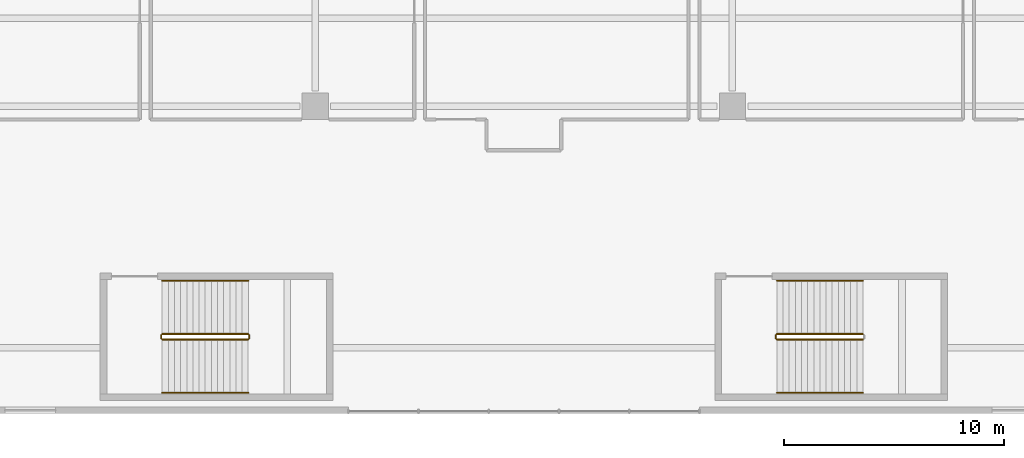
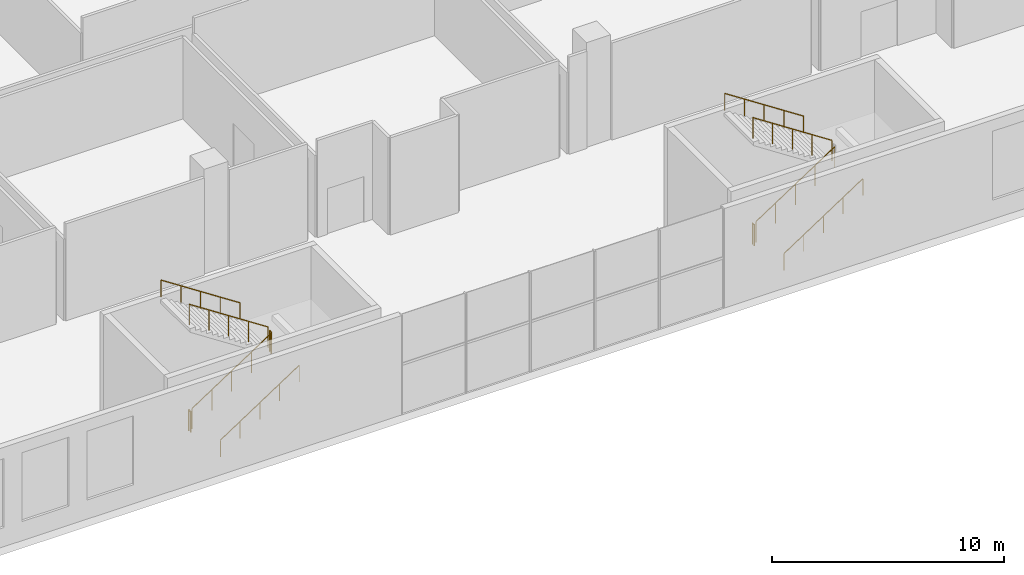
# One storey, part 19 of 26: 11 railings.
"""IFC4 building model written with IfcOpenShell, lengths in metres."""

from ifc_helpers import new_model, si_unit, direction, frame, origin, origin_2d, place, context, subcontext, project, spatial, circle, extrude, material, type_object, element, save


model = new_model("IFC4")

# Units and contexts
model_context = context("Model", 3, precision=1e-05, world=origin(), true_north=direction((0.0, 1.0)))
body_context = subcontext(model_context, "Body", "Model", "MODEL_VIEW")
ifc_project = project(units=[si_unit("LENGTHUNIT", "METRE"), si_unit("AREAUNIT", "SQUARE_METRE"), si_unit("VOLUMEUNIT", "CUBIC_METRE"), si_unit("PLANEANGLEUNIT", "RADIAN"), si_unit("MASSUNIT", "GRAM", prefix="KILO")], contexts=[model_context])

# Site, building, storey
site_placement = place(None, origin())
site = spatial("IfcSite", under=ifc_project, at=site_placement, CompositionType="ELEMENT")
building_placement = place(site_placement, origin())
building = spatial("IfcBuilding", under=site, at=building_placement, Name="Tel Ilan Convention Tower", CompositionType="ELEMENT")
storey_placement = place(building_placement, frame((0.0, 0.0, 32.0)))
storey = spatial("IfcBuildingStorey", under=building, at=storey_placement, Name="L04", CompositionType="ELEMENT", Elevation=32.0)

# Railings
ifc_material_1 = material(Name="Stainless Steel Grade 316", Category="steel")
railing_type_1 = type_object("IfcRailingType", Name="Stainless Steel Stair Guard 1100 mm", PredefinedType="GUARDRAIL", material=ifc_material_1)
railing_1_placement = place(storey_placement, frame((-16.47509765625, -78.625, 0.183349609375)))
element("IfcRailing", 1, at=railing_1_placement, inside=storey, type_object=railing_type_1, Name="L04 P2 stair guard 1", PredefinedType="GUARDRAIL", context=body_context, shape_type="SweptSolid", body=[
    extrude(circle(Radius=0.02392578125, at=origin_2d()), frame((0.0, 0.0, 1.076171875), z_axis=(0.836630751959, 0.0, 0.54776727255), x_axis=(0.0, 1.0, 0.0)), (0.0, 0.0, 1.0), 4.685546875),
    extrude(circle(Radius=0.02099609375, at=origin_2d()), origin(), (0.0, 0.0, 1.0), 1.052001953125),
    extrude(circle(Radius=0.02099609375, at=origin_2d()), frame((0.97998046875, 0.0, 0.6416015625)), (0.0, 0.0, 1.0), 1.052001953125),
    extrude(circle(Radius=0.02099609375, at=origin_2d()), frame((1.9599609375, 0.0, 1.283203125)), (0.0, 0.0, 1.0), 1.052001953125),
    extrude(circle(Radius=0.02099609375, at=origin_2d()), frame((2.940185546875, 0.0, 1.925048828125)), (0.0, 0.0, 1.0), 1.052001953125),
    extrude(circle(Radius=0.02099609375, at=origin_2d()), frame((3.920166015625, 0.0, 2.566650390625)), (0.0, 0.0, 1.0), 1.052001953125),
])
railing_2_placement = place(storey_placement, frame((-12.5048828125, -78.574951171875, 2.75)))
element("IfcRailing", 2, at=railing_2_placement, inside=storey, type_object=railing_type_1, Name="L04 P2 stair guard 2", PredefinedType="GUARDRAIL", context=body_context, shape_type="SweptSolid", body=[
    extrude(circle(Radius=0.02392578125, at=origin_2d()), frame((0.0, 0.0, 1.076171875), z_axis=(0.0, 1.0, 0.0), x_axis=(-1.0, 0.0, 0.0)), (0.0, 0.0, 1.0), 0.14990234375),
    extrude(circle(Radius=0.02099609375, at=origin_2d()), origin(), (0.0, 0.0, 1.0), 1.052001953125),
    extrude(circle(Radius=0.02099609375, at=origin_2d()), frame((0.0, 0.14990234375, 0.0)), (0.0, 0.0, 1.0), 1.052001953125),
])
railing_3_placement = place(storey_placement, frame((-12.554931640625, -78.375, 2.933349609375)))
element("IfcRailing", 3, at=railing_3_placement, inside=storey, type_object=railing_type_1, Name="L04 P2 stair guard 3", PredefinedType="GUARDRAIL", context=body_context, shape_type="SweptSolid", body=[
    extrude(circle(Radius=0.02392578125, at=origin_2d()), frame((0.0, 0.0, 1.076171875), z_axis=(-0.836630751959, 0.0, 0.54776727255), x_axis=(0.0, -1.0, 0.0)), (0.0, 0.0, 1.0), 4.685546875),
    extrude(circle(Radius=0.02099609375, at=origin_2d()), origin(), (0.0, 0.0, 1.0), 1.052001953125),
    extrude(circle(Radius=0.02099609375, at=origin_2d()), frame((-0.97998046875, 0.0, 0.6416015625)), (0.0, 0.0, 1.0), 1.052001953125),
    extrude(circle(Radius=0.02099609375, at=origin_2d()), frame((-1.9599609375, 0.0, 1.283203125)), (0.0, 0.0, 1.0), 1.052001953125),
    extrude(circle(Radius=0.02099609375, at=origin_2d()), frame((-2.940185546875, 0.0, 1.925048828125)), (0.0, 0.0, 1.0), 1.052001953125),
    extrude(circle(Radius=0.02099609375, at=origin_2d()), frame((-3.920166015625, 0.0, 2.566650390625)), (0.0, 0.0, 1.0), 1.052001953125),
])
railing_4_placement = place(storey_placement, frame((-16.52490234375, -78.574951171875, 0.0)))
element("IfcRailing", 4, at=railing_4_placement, inside=storey, type_object=railing_type_1, Name="L04 P2 stair guard 4", PredefinedType="GUARDRAIL", context=body_context, shape_type="SweptSolid", body=[
    extrude(circle(Radius=0.02392578125, at=origin_2d()), frame((0.0, 0.0, 1.076171875), z_axis=(0.0, 1.0, 0.0), x_axis=(-1.0, 0.0, 0.0)), (0.0, 0.0, 1.0), 0.14990234375),
    extrude(circle(Radius=0.02099609375, at=origin_2d()), origin(), (0.0, 0.0, 1.0), 1.052001953125),
    extrude(circle(Radius=0.02099609375, at=origin_2d()), frame((0.0, 0.14990234375, 0.0)), (0.0, 0.0, 1.0), 1.052001953125),
])
railing_5_placement = place(storey_placement, frame((11.52490234375, -78.625, 0.183349609375)))
element("IfcRailing", 5, at=railing_5_placement, inside=storey, type_object=railing_type_1, Name="L04 P3 stair guard 1", PredefinedType="GUARDRAIL", context=body_context, shape_type="SweptSolid", body=[
    extrude(circle(Radius=0.02392578125, at=origin_2d()), frame((0.0, 0.0, 1.076171875), z_axis=(0.836630751959, 0.0, 0.54776727255), x_axis=(0.0, 1.0, 0.0)), (0.0, 0.0, 1.0), 4.685546875),
    extrude(circle(Radius=0.02099609375, at=origin_2d()), origin(), (0.0, 0.0, 1.0), 1.052001953125),
    extrude(circle(Radius=0.02099609375, at=origin_2d()), frame((0.97998046875, 0.0, 0.6416015625)), (0.0, 0.0, 1.0), 1.052001953125),
    extrude(circle(Radius=0.02099609375, at=origin_2d()), frame((1.9599609375, 0.0, 1.283203125)), (0.0, 0.0, 1.0), 1.052001953125),
    extrude(circle(Radius=0.02099609375, at=origin_2d()), frame((2.940185546875, 0.0, 1.925048828125)), (0.0, 0.0, 1.0), 1.052001953125),
    extrude(circle(Radius=0.02099609375, at=origin_2d()), frame((3.920166015625, 0.0, 2.566650390625)), (0.0, 0.0, 1.0), 1.052001953125),
])
railing_6_placement = place(storey_placement, frame((15.445068359375, -78.375, 2.933349609375)))
element("IfcRailing", 6, at=railing_6_placement, inside=storey, type_object=railing_type_1, Name="L04 P3 stair guard 3", PredefinedType="GUARDRAIL", context=body_context, shape_type="SweptSolid", body=[
    extrude(circle(Radius=0.02392578125, at=origin_2d()), frame((0.0, 0.0, 1.076171875), z_axis=(-0.836630751959, 0.0, 0.54776727255), x_axis=(0.0, -1.0, 0.0)), (0.0, 0.0, 1.0), 4.685546875),
    extrude(circle(Radius=0.02099609375, at=origin_2d()), origin(), (0.0, 0.0, 1.0), 1.052001953125),
    extrude(circle(Radius=0.02099609375, at=origin_2d()), frame((-0.97998046875, 0.0, 0.6416015625)), (0.0, 0.0, 1.0), 1.052001953125),
    extrude(circle(Radius=0.02099609375, at=origin_2d()), frame((-1.9599609375, 0.0, 1.283203125)), (0.0, 0.0, 1.0), 1.052001953125),
    extrude(circle(Radius=0.02099609375, at=origin_2d()), frame((-2.940185546875, 0.0, 1.925048828125)), (0.0, 0.0, 1.0), 1.052001953125),
    extrude(circle(Radius=0.02099609375, at=origin_2d()), frame((-3.920166015625, 0.0, 2.566650390625)), (0.0, 0.0, 1.0), 1.052001953125),
])
railing_7_placement = place(storey_placement, frame((11.47509765625, -78.574951171875, 0.0)))
element("IfcRailing", 7, at=railing_7_placement, inside=storey, type_object=railing_type_1, Name="L04 P3 stair guard 4", PredefinedType="GUARDRAIL", context=body_context, shape_type="SweptSolid", body=[
    extrude(circle(Radius=0.02392578125, at=origin_2d()), frame((0.0, 0.0, 1.076171875), z_axis=(0.0, 1.0, 0.0), x_axis=(-1.0, 0.0, 0.0)), (0.0, 0.0, 1.0), 0.14990234375),
    extrude(circle(Radius=0.02099609375, at=origin_2d()), origin(), (0.0, 0.0, 1.0), 1.052001953125),
    extrude(circle(Radius=0.02099609375, at=origin_2d()), frame((0.0, 0.14990234375, 0.0)), (0.0, 0.0, 1.0), 1.052001953125),
])
ifc_material_2 = material(Name="Stainless Steel Grade 316", Category="steel")
railing_type_2 = type_object("IfcRailingType", Name="Stainless Steel Stair Handrail 900 mm", PredefinedType="HANDRAIL", material=ifc_material_2)
railing_8_placement = place(storey_placement, frame((-16.47509765625, -81.050048828125, 0.183349609375)))
element("IfcRailing", 8, at=railing_8_placement, inside=storey, type_object=railing_type_2, Name="L04 P2 stair handrail 1", PredefinedType="HANDRAIL", context=body_context, shape_type="SweptSolid", body=[
    extrude(circle(Radius=0.02392578125, at=origin_2d()), frame((0.0, 0.0, 0.8759765625), z_axis=(0.836630751959, 0.0, 0.54776727255), x_axis=(0.0, 1.0, 0.0)), (0.0, 0.0, 1.0), 4.685546875),
    extrude(circle(Radius=0.02099609375, at=origin_2d()), origin(), (0.0, 0.0, 1.0), 0.851806640625),
    extrude(circle(Radius=0.02099609375, at=origin_2d()), frame((0.97998046875, 0.0, 0.6416015625)), (0.0, 0.0, 1.0), 0.851806640625),
    extrude(circle(Radius=0.02099609375, at=origin_2d()), frame((1.9599609375, 0.0, 1.283203125)), (0.0, 0.0, 1.0), 0.851806640625),
    extrude(circle(Radius=0.02099609375, at=origin_2d()), frame((2.940185546875, 0.0, 1.925048828125)), (0.0, 0.0, 1.0), 0.851806640625),
    extrude(circle(Radius=0.02099609375, at=origin_2d()), frame((3.920166015625, 0.0, 2.566650390625)), (0.0, 0.0, 1.0), 0.851806640625),
])
railing_9_placement = place(storey_placement, frame((-12.554931640625, -75.949951171875, 2.933349609375)))
element("IfcRailing", 9, at=railing_9_placement, inside=storey, type_object=railing_type_2, Name="L04 P2 stair handrail 2", PredefinedType="HANDRAIL", context=body_context, shape_type="SweptSolid", body=[
    extrude(circle(Radius=0.02392578125, at=origin_2d()), frame((0.0, 0.0, 0.8759765625), z_axis=(-0.836630751959, 0.0, 0.54776727255), x_axis=(0.0, -1.0, 0.0)), (0.0, 0.0, 1.0), 4.685546875),
    extrude(circle(Radius=0.02099609375, at=origin_2d()), origin(), (0.0, 0.0, 1.0), 0.851806640625),
    extrude(circle(Radius=0.02099609375, at=origin_2d()), frame((-0.97998046875, 0.0, 0.6416015625)), (0.0, 0.0, 1.0), 0.851806640625),
    extrude(circle(Radius=0.02099609375, at=origin_2d()), frame((-1.9599609375, 0.0, 1.283203125)), (0.0, 0.0, 1.0), 0.851806640625),
    extrude(circle(Radius=0.02099609375, at=origin_2d()), frame((-2.940185546875, 0.0, 1.925048828125)), (0.0, 0.0, 1.0), 0.851806640625),
    extrude(circle(Radius=0.02099609375, at=origin_2d()), frame((-3.920166015625, 0.0, 2.566650390625)), (0.0, 0.0, 1.0), 0.851806640625),
])
railing_10_placement = place(storey_placement, frame((11.52490234375, -81.050048828125, 0.183349609375)))
element("IfcRailing", 10, at=railing_10_placement, inside=storey, type_object=railing_type_2, Name="L04 P3 stair handrail 1", PredefinedType="HANDRAIL", context=body_context, shape_type="SweptSolid", body=[
    extrude(circle(Radius=0.02392578125, at=origin_2d()), frame((0.0, 0.0, 0.8759765625), z_axis=(0.836630751959, 0.0, 0.54776727255), x_axis=(0.0, 1.0, 0.0)), (0.0, 0.0, 1.0), 4.685546875),
    extrude(circle(Radius=0.02099609375, at=origin_2d()), origin(), (0.0, 0.0, 1.0), 0.851806640625),
    extrude(circle(Radius=0.02099609375, at=origin_2d()), frame((0.97998046875, 0.0, 0.6416015625)), (0.0, 0.0, 1.0), 0.851806640625),
    extrude(circle(Radius=0.02099609375, at=origin_2d()), frame((1.9599609375, 0.0, 1.283203125)), (0.0, 0.0, 1.0), 0.851806640625),
    extrude(circle(Radius=0.02099609375, at=origin_2d()), frame((2.940185546875, 0.0, 1.925048828125)), (0.0, 0.0, 1.0), 0.851806640625),
    extrude(circle(Radius=0.02099609375, at=origin_2d()), frame((3.920166015625, 0.0, 2.566650390625)), (0.0, 0.0, 1.0), 0.851806640625),
])
railing_11_placement = place(storey_placement, frame((15.445068359375, -75.949951171875, 2.933349609375)))
element("IfcRailing", 11, at=railing_11_placement, inside=storey, type_object=railing_type_2, Name="L04 P3 stair handrail 2", PredefinedType="HANDRAIL", context=body_context, shape_type="SweptSolid", body=[
    extrude(circle(Radius=0.02392578125, at=origin_2d()), frame((0.0, 0.0, 0.8759765625), z_axis=(-0.836630751959, 0.0, 0.54776727255), x_axis=(0.0, -1.0, 0.0)), (0.0, 0.0, 1.0), 4.685546875),
    extrude(circle(Radius=0.02099609375, at=origin_2d()), origin(), (0.0, 0.0, 1.0), 0.851806640625),
    extrude(circle(Radius=0.02099609375, at=origin_2d()), frame((-0.97998046875, 0.0, 0.6416015625)), (0.0, 0.0, 1.0), 0.851806640625),
    extrude(circle(Radius=0.02099609375, at=origin_2d()), frame((-1.9599609375, 0.0, 1.283203125)), (0.0, 0.0, 1.0), 0.851806640625),
    extrude(circle(Radius=0.02099609375, at=origin_2d()), frame((-2.940185546875, 0.0, 1.925048828125)), (0.0, 0.0, 1.0), 0.851806640625),
    extrude(circle(Radius=0.02099609375, at=origin_2d()), frame((-3.920166015625, 0.0, 2.566650390625)), (0.0, 0.0, 1.0), 0.851806640625),
])

save(model, "model.ifc")
